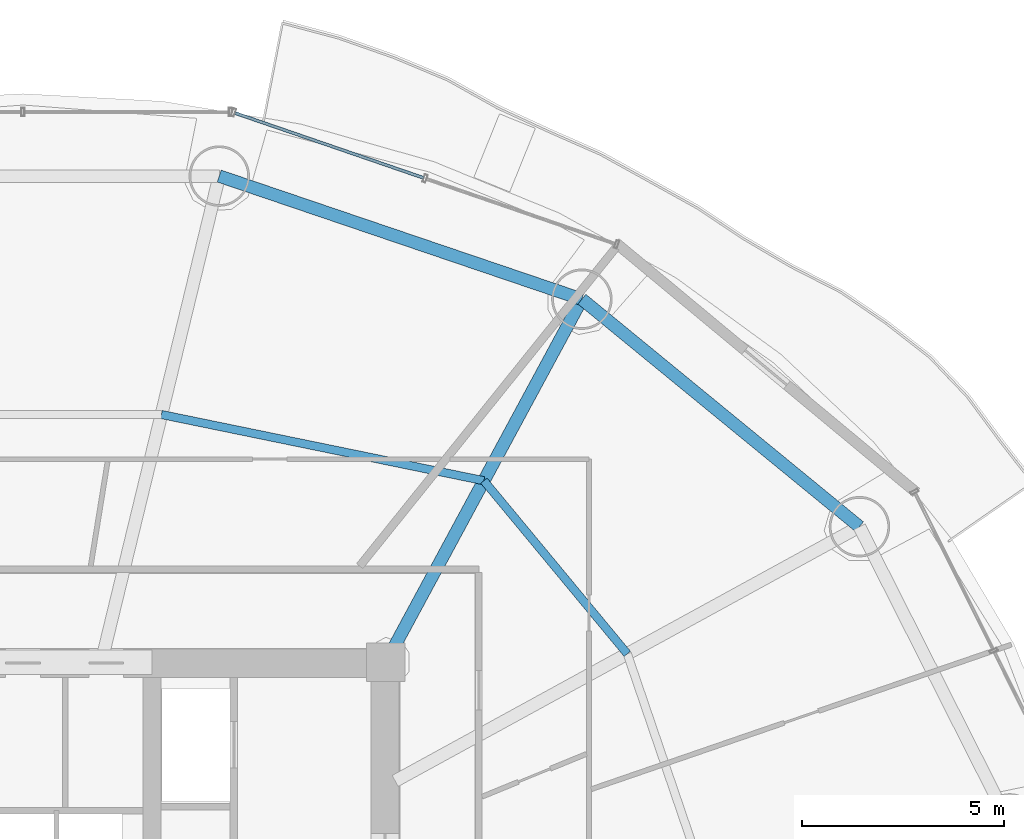
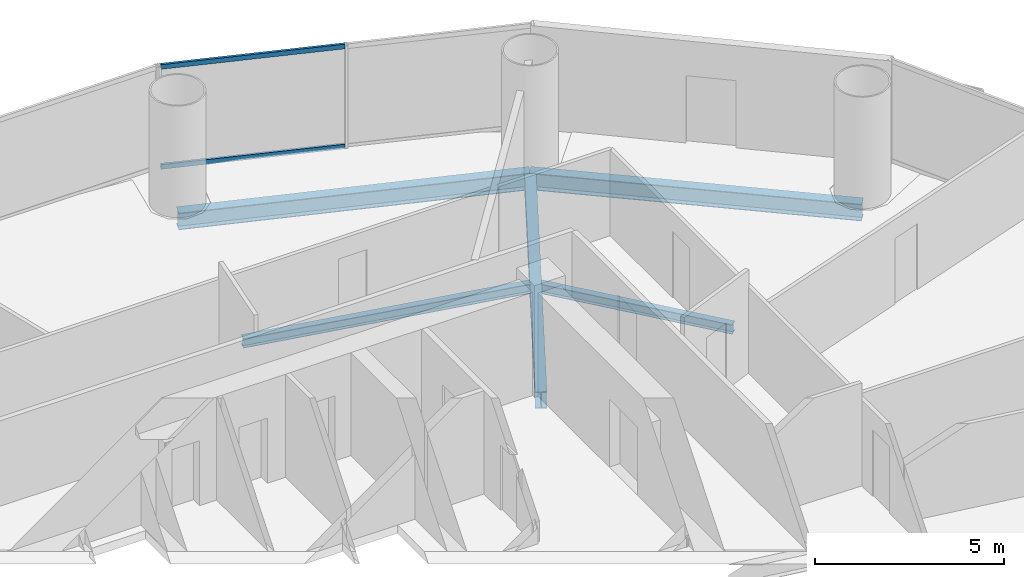
# One storey, part 19 of 29: 5 beams, 2 members, 1 element without a shape of its own.
"""IFC4 building model written with IfcOpenShell, lengths in metres."""

from ifc_helpers import new_model, si_unit, direction, frame, origin, origin_2d, place, context, subcontext, project, spatial, hollow_rectangle, i_section, extrude, source, transform, mapped, material, material_profile, profile_set, type_object, element, aggregate, save


model = new_model("IFC4")

# Units and contexts
model_context = context("Model", 3, precision=1e-05, world=origin(), true_north=direction((-0.2419218956, 0.970295726276)))
body_context = subcontext(model_context, "Body", "Model", "MODEL_VIEW")
ifc_project = project(units=[si_unit("LENGTHUNIT", "METRE"), si_unit("AREAUNIT", "SQUARE_METRE"), si_unit("VOLUMEUNIT", "CUBIC_METRE"), si_unit("PLANEANGLEUNIT", "RADIAN"), si_unit("MASSUNIT", "GRAM", prefix="KILO")], contexts=[model_context])

# Site, building, storey
site_placement = place(None, origin())
site = spatial("IfcSite", under=ifc_project, at=site_placement, CompositionType="ELEMENT")
building_placement = place(site_placement, origin())
building = spatial("IfcBuilding", under=site, at=building_placement, Name="Cobrevalo Terracotta Tower", CompositionType="ELEMENT")
storey_placement = place(building_placement, frame((0.0, 0.0, 119.39990234375)))
storey = spatial("IfcBuildingStorey", under=building, at=storey_placement, Name="L31", CompositionType="ELEMENT", Elevation=119.39990234375)

# Beams
ifc_material_1 = material(Name="Steel S355", Category="steel")
ifc_material_profile_1 = material_profile(ifc_material_1, i_section(OverallWidth=0.31201171875, OverallDepth=0.54296875, WebThickness=0.0126953125, FlangeThickness=0.020263671875, at=origin_2d()), Name="W 530x150")
ifc_profile_set_1 = profile_set([ifc_material_profile_1], Name="Steel S355")
beam_type_1 = type_object("IfcBeamType", Name="Structural Beam W 530x150 (Steel S355)", PredefinedType="BEAM", material=ifc_profile_set_1)
beam_1_placement = place(storey_placement, frame((51.861572265625, 43.803466796875, -0.54638671875), z_axis=(-0.475128224431, -0.879916570107, 0.0), x_axis=(0.879916570107, -0.475128224431, 0.0)))
element("IfcBeam", 1, at=beam_1_placement, inside=storey, type_object=beam_type_1, Name="L31 radial floor girder 03", PredefinedType="BEAM", context=body_context, shape_type="SweptSolid", body=[
    extrude(i_section(OverallWidth=0.31201171875, OverallDepth=0.54296875, WebThickness=0.0126953125, FlangeThickness=0.020263671875, at=origin_2d()), origin(), (0.0, 0.0, 1.0), 10.232177734375),
])
ifc_material_profile_2 = material_profile(ifc_material_1, i_section(OverallWidth=0.2041015625, OverallDepth=0.305908203125, WebThickness=0.008544921875, FlangeThickness=0.0146484375, at=origin_2d()), Name="W 310x67")
ifc_profile_set_2 = profile_set([ifc_material_profile_2], Name="Steel S355")
beam_type_2 = type_object("IfcBeamType", Name="Structural Joist W 310x67 (Steel S355)", PredefinedType="JOIST", material=ifc_profile_set_2)
beam_2_placement = place(storey_placement, frame((52.987548828125, 35.00830078125, -0.427978515625), z_axis=(-0.6379592588, 0.77007011636, 0.0), x_axis=(-0.77007011636, -0.6379592588, 0.0)))
element("IfcBeam", 2, at=beam_2_placement, inside=storey, type_object=beam_type_2, Name="L31 circumferential secondary floor joist 02", PredefinedType="JOIST", context=body_context, shape_type="SweptSolid", body=[
    extrude(i_section(OverallWidth=0.2041015625, OverallDepth=0.305908203125, WebThickness=0.008544921875, FlangeThickness=0.0146484375, at=origin_2d()), origin(), (0.0, 0.0, 1.0), 5.575439453125),
])
beam_3_placement = place(storey_placement, frame((49.4306640625, 39.3017578125, -0.427978515625), z_axis=(-0.979574469315, 0.201081722357, 0.0), x_axis=(-0.201081722357, -0.979574469315, 0.0)))
element("IfcBeam", 3, at=beam_3_placement, inside=storey, type_object=beam_type_2, Name="L31 circumferential secondary floor joist 03", PredefinedType="JOIST", context=body_context, shape_type="SweptSolid", body=[
    extrude(i_section(OverallWidth=0.2041015625, OverallDepth=0.305908203125, WebThickness=0.008544921875, FlangeThickness=0.0146484375, at=origin_2d()), origin(), (0.0, 0.0, 1.0), 8.1650390625),
])
ifc_material_profile_3 = material_profile(ifc_material_1, i_section(OverallWidth=0.31201171875, OverallDepth=0.54296875, WebThickness=0.0126953125, FlangeThickness=0.020263671875, at=origin_2d()), Name="W 530x150")
ifc_profile_set_3 = profile_set([ifc_material_profile_3], Name="Steel S355")
beam_type_3 = type_object("IfcBeamType", Name="Structural Spandrel W 530x150 (Steel S355)", PredefinedType="SPANDREL", material=ifc_profile_set_3)
beam_4_placement = place(storey_placement, frame((58.7451171875, 38.161376953125, -0.54638671875), z_axis=(-0.773400923541, 0.633917196064, 0.0), x_axis=(-0.633917196064, -0.773400923541, 0.0)))
element("IfcBeam", 4, at=beam_4_placement, inside=storey, type_object=beam_type_3, Name="L31 perimeter ring spandrel 02", PredefinedType="SPANDREL", context=body_context, shape_type="SweptSolid", body=[
    extrude(i_section(OverallWidth=0.31201171875, OverallDepth=0.54296875, WebThickness=0.0126953125, FlangeThickness=0.020263671875, at=origin_2d()), origin(), (0.0, 0.0, 1.0), 8.900390625),
])
beam_5_placement = place(storey_placement, frame((51.861572265625, 43.803466796875, -0.54638671875), z_axis=(-0.946910528816, 0.32149720126, 0.0), x_axis=(-0.32149720126, -0.946910528816, 0.0)))
element("IfcBeam", 5, at=beam_5_placement, inside=storey, type_object=beam_type_3, Name="L31 perimeter ring spandrel 03", PredefinedType="SPANDREL", context=body_context, shape_type="SweptSolid", body=[
    extrude(i_section(OverallWidth=0.31201171875, OverallDepth=0.54296875, WebThickness=0.0126953125, FlangeThickness=0.020263671875, at=origin_2d()), origin(), (0.0, 0.0, 1.0), 9.498291015625),
])

# Curtain wall, members
ifc_material_2 = material(Name="Anodized aluminium", Category="aluminium")
curtain_wall_type = type_object("IfcCurtainWallType", Name="Lower-tower unitised acoustic low-E curtain wall CW-U1", PredefinedType="NOTDEFINED", material=ifc_material_2)
curtain_wall_placement = place(storey_placement, origin())
curtain_wall = element("IfcCurtainWall", 6, at=curtain_wall_placement, inside=storey, type_object=curtain_wall_type, Name="L31 curtain wall CW-L31-S03", PredefinedType="NOTDEFINED")
ifc_material_profile_4 = material_profile(ifc_material_2, hollow_rectangle(XDim=0.074951171875, YDim=0.14990234375, WallThickness=0.00439453125, at=origin_2d()), Name="CWT 75x150")
ifc_profile_set_4 = profile_set([ifc_material_profile_4], Name="Anodized aluminium")
member_type = type_object("IfcMemberType", Name="Tower unitised aluminium transom 75x150", PredefinedType="USERDEFINED", material=ifc_profile_set_4)
shared_shape = source(origin(), body_context, "Body", "SweptSolid", [
    extrude(hollow_rectangle(XDim=0.074951171875, YDim=0.14990234375, WallThickness=0.00439453125, at=origin_2d()), origin(), (0.0, 0.0, 1.0), 4.944580078125),
])
member_1_placement = place(storey_placement, frame((47.934814453125, 46.811279296875, 0.050048828125), z_axis=(-0.945597859971, 0.32533780478, 0.0), x_axis=(-0.32533780478, -0.945597859971, 0.0)))
member_1 = element("IfcMember", 7, at=member_1_placement, type_object=member_type, Name="CW-L31-S03 transom B02-T1", ObjectType="TRANSOM", PredefinedType="USERDEFINED", context=body_context, shape_type="MappedRepresentation", body=[
    mapped(shared_shape, transform((0.0, 0.0, 0.0), scale=1.0)),
])
member_2_placement = place(storey_placement, frame((47.934814453125, 46.811279296875, 3.275146484375), z_axis=(-0.945597859971, 0.32533780478, 0.0), x_axis=(-0.32533780478, -0.945597859971, 0.0)))
member_2 = element("IfcMember", 8, at=member_2_placement, type_object=member_type, Name="CW-L31-S03 transom B02-T2", ObjectType="TRANSOM", PredefinedType="USERDEFINED", context=body_context, shape_type="MappedRepresentation", body=[
    mapped(shared_shape, transform((0.0, 0.0, 0.0), scale=1.0)),
])
aggregate(curtain_wall, [member_1, member_2])

save(model, "model.ifc")
